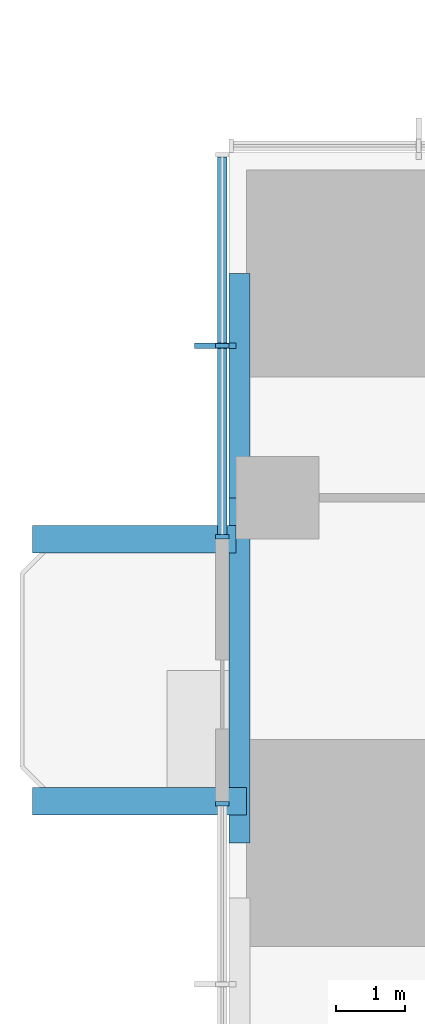
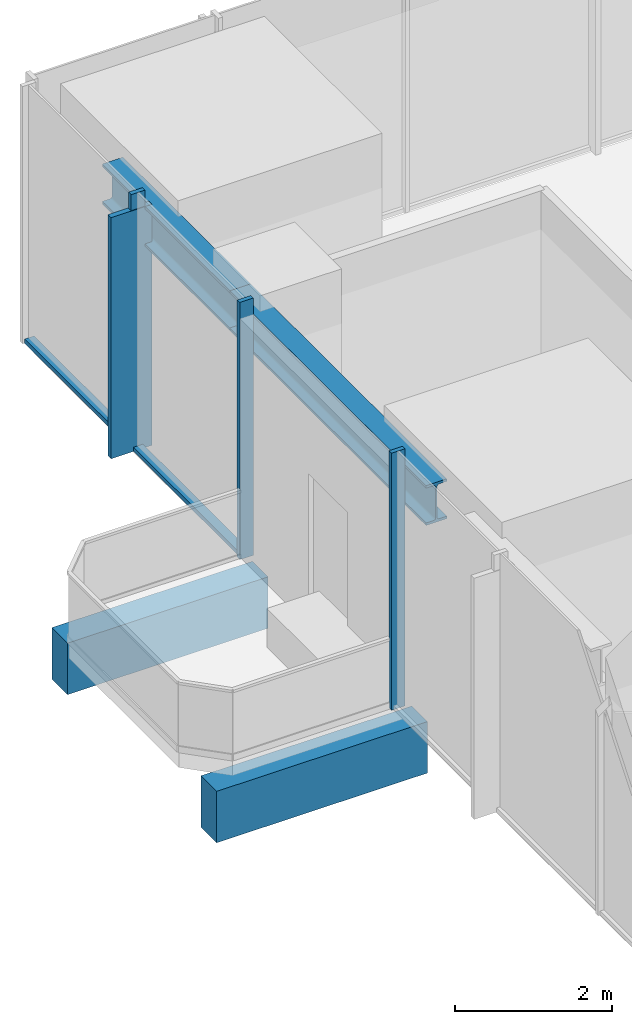
# One storey, part 3 of 14: 6 members, 4 beams, 2 elements without a shape of their own.
"""IFC4 building model written with IfcOpenShell, lengths in metres."""

import ifcopenshell
import ifcopenshell.guid

model = None  # the IFC model being written
_history = None  # IfcOwnerHistory: only IFC2X3 demands one
_inside = {}  # id of a spatial element -> (the spatial element, [elements in it])
_under = {}  # id of a project, library or spatial element -> (it, [spatial elements below it])
_declared = {}  # id of a project -> (the project, [libraries it declares])
_typed = {}  # id of a type object -> (the type object, [elements of that type])
_made_of = {}  # id of a material, layer set ... -> (it, [elements and type objects made of it])


def new_model(schema):
    """Start an empty IFC model of exactly this schema.

    Asked for "IFC4X3", IfcOpenShell would pick the latest addendum, in which some entities
    have other attributes; the version numbers below select the first issue.
    IFC2X3 requires an IfcOwnerHistory on every rooted entity: one is made here for all.
    """
    global model, _history
    if schema == "IFC4X3":
        model = ifcopenshell.file(schema_version=(4, 3, 0, 0))
    else:
        model = ifcopenshell.file(schema=schema)
    _inside.clear()
    _under.clear()
    _declared.clear()
    _typed.clear()
    _made_of.clear()
    _history = None
    if model.schema == "IFC2X3":
        org = make("IfcOrganization", Name="unknown")
        user = make(
            "IfcPersonAndOrganization",
            ThePerson=make("IfcPerson", FamilyName="unknown"),
            TheOrganization=org,
        )
        app = make(
            "IfcApplication",
            ApplicationDeveloper=org,
            Version="unknown",
            ApplicationFullName="unknown",
            ApplicationIdentifier="unknown",
        )
        _history = make(
            "IfcOwnerHistory",
            OwningUser=user,
            OwningApplication=app,
            ChangeAction="ADDED",
            CreationDate=0,
        )
    return model


def make(cls, **values):
    """One entity of the class cls with the attributes given. An attribute that is None is left unset."""
    return model.create_entity(
        cls, **{name: value for name, value in values.items() if value is not None}
    )


def rooted(cls, **values):
    """An entity with a GlobalId (a new one), such as an element, a storey or a relation."""
    return make(cls, GlobalId=ifcopenshell.guid.new(), OwnerHistory=_history, **values)


def si_unit(unit_type, name, prefix=None):
    """IfcSIUnit, for example si_unit("LENGTHUNIT", "METRE", prefix="MILLI")."""
    return make("IfcSIUnit", UnitType=unit_type, Prefix=prefix, Name=name)


def assignment(units):
    """IfcUnitAssignment: the units of a project."""
    return None if units is None else make("IfcUnitAssignment", Units=units)


def point(xyz):
    """IfcCartesianPoint."""
    return None if xyz is None else make("IfcCartesianPoint", Coordinates=xyz)


def direction(xyz):
    """IfcDirection."""
    return None if xyz is None else make("IfcDirection", DirectionRatios=xyz)


def frame(location, z_axis=None, x_axis=None):
    """IfcAxis2Placement3D, a coordinate frame: its origin and axes. An axis left out is left unset."""
    return make(
        "IfcAxis2Placement3D",
        Location=point(location),
        Axis=direction(z_axis),
        RefDirection=direction(x_axis),
    )


def frame_2d(location, x_axis=None):
    """IfcAxis2Placement2D, a coordinate frame in the plane: its origin and x axis."""
    return make(
        "IfcAxis2Placement2D", Location=point(location), RefDirection=direction(x_axis)
    )


def origin():
    """The frame at (0, 0, 0) with its axes left unset."""
    return frame((0.0, 0.0, 0.0))


def origin_2d():
    """The frame at (0, 0) in the plane with its x axis left unset."""
    return frame_2d((0.0, 0.0))


def place(relative_to, where):
    """IfcLocalPlacement: puts the frame where relative to a parent placement (None: the world)."""
    return make(
        "IfcLocalPlacement", PlacementRelTo=relative_to, RelativePlacement=where
    )


def context(
    kind, dimensions, precision=None, world=None, true_north=None, identifier=None
):
    """IfcGeometricRepresentationContext, for example the 3D "Model" context."""
    return make(
        "IfcGeometricRepresentationContext",
        ContextIdentifier=identifier,
        ContextType=kind,
        CoordinateSpaceDimension=dimensions,
        Precision=precision,
        WorldCoordinateSystem=world,
        TrueNorth=true_north,
    )


def subcontext(parent, identifier, kind, view, scale=None):
    """IfcGeometricRepresentationSubContext, for example "Body" below "Model"."""
    return make(
        "IfcGeometricRepresentationSubContext",
        ContextIdentifier=identifier,
        ContextType=kind,
        ParentContext=parent,
        TargetScale=scale,
        TargetView=view,
    )


def project(units=None, contexts=None):
    """IfcProject with its units and contexts."""
    return rooted(
        "IfcProject",
        Name="project",
        RepresentationContexts=contexts,
        UnitsInContext=assignment(units),
    )


def spatial(cls, under=None, at=None, **own):
    """A site, building, storey or space (cls), placed at a placement, below another one or the project."""
    s = rooted(cls, ObjectPlacement=at, **own)
    if under is not None:
        _under.setdefault(under.id(), (under, []))[1].append(s)
    return s


def profile(cls, at=None, kind="AREA", **sizes):
    """A parametric profile (cls). Its sizes go by their IFC names, for example OverallWidth=200.0."""
    return make(cls, ProfileType=kind, Position=at, **sizes)


def rectangle(**sizes):
    """IfcRectangleProfileDef."""
    return profile("IfcRectangleProfileDef", **sizes)


def i_section(**sizes):
    """IfcIShapeProfileDef."""
    return profile("IfcIShapeProfileDef", **sizes)


def extrude(swept, where, along, depth):
    """IfcExtrudedAreaSolid: the profile swept, set in the frame where, extruded along a direction by depth."""
    return make(
        "IfcExtrudedAreaSolid",
        SweptArea=swept,
        Position=where,
        ExtrudedDirection=direction(along),
        Depth=depth,
    )


def shape(context_of_items, identifier, shape_type, items):
    """IfcShapeRepresentation: the items that make up one representation, for example the "Body"."""
    return make(
        "IfcShapeRepresentation",
        ContextOfItems=context_of_items,
        RepresentationIdentifier=identifier,
        RepresentationType=shape_type,
        Items=items,
    )


def material(Name=None, Category=None):
    """IfcMaterial."""
    return make("IfcMaterial", Name=Name, Category=Category)


def material_profile(
    of_material, cross_section, Name=None, Category=None, Priority=None
):
    """IfcMaterialProfile: a cross section and its material."""
    return make(
        "IfcMaterialProfile",
        Name=Name,
        Material=of_material,
        Profile=cross_section,
        Priority=Priority,
        Category=Category,
    )


def profile_set(profiles, Name=None, composite=None):
    """IfcMaterialProfileSet."""
    return make(
        "IfcMaterialProfileSet",
        Name=Name,
        MaterialProfiles=profiles,
        CompositeProfile=composite,
    )


def made_of(thing, what):
    """Note that an element or type object is made of a material, layer set ...; save() writes the relation."""
    if what is not None:
        _made_of.setdefault(what.id(), (what, []))[1].append(thing)
    return thing


def type_object(cls, material=None, **own):
    """A type object (cls), such as IfcWallType, which elements share."""
    return made_of(rooted(cls, **own), material)


def element(
    cls,
    number,
    at=None,
    inside=None,
    cuts=None,
    type_object=None,
    material=None,
    context=None,
    identifier="Body",
    shape_type=None,
    held_by="IfcProductDefinitionShape",
    body=None,
    shapes=None,
    **own,
):
    """One element of the class cls, such as IfcWall. Its Tag is "e" and its number.

    at: its placement. inside: the storey or other place that contains it. cuts: it is an
    opening in that element (IfcRelVoidsElement). A single representation is given by context,
    identifier, shape_type and body (its items); several are given by shapes. held_by: the class
    of the entity that holds the representations. save() writes the other relations.
    """
    e = rooted(cls, Tag="e%d" % number, ObjectPlacement=at, **own)
    if body is not None:
        shapes = [shape(context, identifier, shape_type, body)]
    if shapes is not None:
        e.Representation = make(held_by, Representations=shapes)
    if inside is not None:
        _inside.setdefault(inside.id(), (inside, []))[1].append(e)
    if cuts is not None:
        rooted(
            "IfcRelVoidsElement", RelatingBuildingElement=cuts, RelatedOpeningElement=e
        )
    if type_object is not None:
        _typed.setdefault(type_object.id(), (type_object, []))[1].append(e)
    return made_of(e, material)


def aggregate(whole, parts):
    """IfcRelAggregates: a whole, such as a stair, and the parts it consists of."""
    return rooted("IfcRelAggregates", RelatingObject=whole, RelatedObjects=parts)


def save(model, path):
    """Write the relations noted so far, then the file.

    IfcRelAggregates (storeys below a building ...), IfcRelContainedInSpatialStructure (elements
    in a storey), IfcRelDefinesByType, IfcRelAssociatesMaterial and IfcRelDeclares: one each for
    every whole, place, type object, material and project.
    """
    for whole, parts in _under.values():
        aggregate(whole, parts)
    for where, things in _inside.values():
        rooted(
            "IfcRelContainedInSpatialStructure",
            RelatedElements=things,
            RelatingStructure=where,
        )
    for kind, things in _typed.values():
        rooted("IfcRelDefinesByType", RelatedObjects=things, RelatingType=kind)
    for what, things in _made_of.values():
        rooted("IfcRelAssociatesMaterial", RelatedObjects=things, RelatingMaterial=what)
    for by, libraries in _declared.values():
        rooted("IfcRelDeclares", RelatingContext=by, RelatedDefinitions=libraries)
    model.write(path)


model = new_model("IFC4")

# Units and contexts
model_context = context("Model", 3, precision=1e-05, world=origin(), true_north=direction((0.0, 1.0)))
body_context = subcontext(model_context, "Body", "Model", "MODEL_VIEW")
ifc_project = project(units=[si_unit("LENGTHUNIT", "METRE"), si_unit("AREAUNIT", "SQUARE_METRE"), si_unit("VOLUMEUNIT", "CUBIC_METRE"), si_unit("PLANEANGLEUNIT", "RADIAN"), si_unit("MASSUNIT", "GRAM", prefix="KILO")], contexts=[model_context])

# Site, building, storey
site_placement = place(None, origin())
site = spatial("IfcSite", under=ifc_project, at=site_placement, CompositionType="ELEMENT")
building_placement = place(site_placement, origin())
building = spatial("IfcBuilding", under=site, at=building_placement, Name="Svetlomir Tower", CompositionType="ELEMENT")
storey_placement = place(building_placement, frame((0.0, 0.0, 108.5)))
storey = spatial("IfcBuildingStorey", under=building, at=storey_placement, Name="L25", CompositionType="ELEMENT", Elevation=108.5)

# Beams
ifc_material_1 = material(Name="Concrete C60/75", Category="concrete")
ifc_material_profile_1 = material_profile(ifc_material_1, rectangle(XDim=0.39990234375, YDim=0.800048828125, at=origin_2d()), Name="RC 400x800")
ifc_profile_set_1 = profile_set([ifc_material_profile_1], Name="Concrete C60/75")
beam_type_1 = type_object("IfcBeamType", Name="BALCONY RIB RC 400x800", PredefinedType="BEAM", material=ifc_profile_set_1)
beam_1_placement = place(storey_placement, frame((0.25, 21.60009765625, -0.64990234375), z_axis=(-1.0, 0.0, 0.0), x_axis=(0.0, -1.0, 0.0)))
element("IfcBeam", 1, at=beam_1_placement, inside=storey, type_object=beam_type_1, Name="Balcony rib W 1 L25", PredefinedType="BEAM", context=body_context, shape_type="SweptSolid", body=[
    extrude(rectangle(XDim=0.39990234375, YDim=0.800048828125, at=origin_2d()), origin(), (0.0, 0.0, 1.0), 3.10009765625),
])
beam_2_placement = place(storey_placement, frame((0.10009765625, 25.39990234375, -0.64990234375), z_axis=(-1.0, 0.0, 0.0), x_axis=(0.0, -1.0, 0.0)))
element("IfcBeam", 2, at=beam_2_placement, inside=storey, type_object=beam_type_1, Name="Balcony rib W 2 L25", PredefinedType="BEAM", context=body_context, shape_type="SweptSolid", body=[
    extrude(rectangle(XDim=0.39990234375, YDim=0.800048828125, at=origin_2d()), origin(), (0.0, 0.0, 1.0), 2.9501953125),
])

# Curtain wall, members
ifc_material_2 = material(Name="Bronze anodised aluminium curtain wall", Category="aluminium")
curtain_wall_type = type_object("IfcCurtainWallType", Name="CURTAIN WALL CW1 TOWER OFFICE", PredefinedType="NOTDEFINED", material=ifc_material_2)
curtain_wall_1_placement = place(storey_placement, origin())
curtain_wall_1 = element("IfcCurtainWall", 3, at=curtain_wall_1_placement, inside=storey, type_object=curtain_wall_type, Name="Curtain wall CW1 L25", PredefinedType="NOTDEFINED")
ifc_material_3 = material(Name="Bronze anodised aluminium", Category="aluminium")
ifc_material_profile_2 = material_profile(ifc_material_3, rectangle(XDim=0.080078125, YDim=0.60009765625, at=origin_2d()), Name="FIN 80x600")
ifc_profile_set_2 = profile_set([ifc_material_profile_2], Name="Bronze anodised aluminium 6063-T6")
member_type_1 = type_object("IfcMemberType", Name="BRONZE FIN 80x600", PredefinedType="USERDEFINED", material=ifc_profile_set_2)
member_1_placement = place(storey_placement, frame((-0.199951171875, 28.199951171875, 0.0), z_axis=(0.0, 0.0, 1.0), x_axis=(0.0, 1.0, 0.0)))
member_1 = element("IfcMember", 4, at=member_1_placement, type_object=member_type_1, Name="Bronze fin L25", ObjectType="FIN", PredefinedType="USERDEFINED", context=body_context, shape_type="SweptSolid", body=[
    extrude(rectangle(XDim=0.080078125, YDim=0.60009765625, at=origin_2d()), origin(), (0.0, 0.0, 1.0), 3.75),
])
ifc_material_4 = material(Name="Bronze anodised aluminium", Category="aluminium")
ifc_material_profile_3 = material_profile(ifc_material_4, rectangle(XDim=0.06494140625, YDim=0.199951171875, at=origin_2d()), Name="AL 65x200")
ifc_profile_set_3 = profile_set([ifc_material_profile_3], Name="Bronze anodised aluminium 6063-T6")
member_type_2 = type_object("IfcMemberType", Name="CW1 MULLION 65x200", PredefinedType="MULLION", material=ifc_profile_set_3)
member_2_placement = place(storey_placement, frame((-0.10009765625, 28.199951171875, 0.0), z_axis=(0.0, 0.0, 1.0), x_axis=(0.0, -1.0, 0.0)))
member_2 = element("IfcMember", 5, at=member_2_placement, type_object=member_type_2, Name="CW1 mullion 2", PredefinedType="MULLION", context=body_context, shape_type="SweptSolid", body=[
    extrude(rectangle(XDim=0.06494140625, YDim=0.199951171875, at=origin_2d()), origin(), (0.0, 0.0, 1.0), 4.0),
])
member_3_placement = place(storey_placement, frame((-0.10009765625, 25.4326171875, 0.0), z_axis=(0.0, 0.0, 1.0), x_axis=(0.0, -1.0, 0.0)))
member_3 = element("IfcMember", 6, at=member_3_placement, type_object=member_type_2, Name="CW1 mullion 3", PredefinedType="MULLION", context=body_context, shape_type="SweptSolid", body=[
    extrude(rectangle(XDim=0.06494140625, YDim=0.199951171875, at=origin_2d()), origin(), (0.0, 0.0, 1.0), 4.0),
])

# Curtain wall, member
curtain_wall_2_placement = place(storey_placement, origin())
curtain_wall_2 = element("IfcCurtainWall", 7, at=curtain_wall_2_placement, inside=storey, type_object=curtain_wall_type, Name="Curtain wall CW1 L25", PredefinedType="NOTDEFINED")
member_4_placement = place(storey_placement, frame((-0.10009765625, 21.5673828125, 0.0), z_axis=(0.0, 0.0, 1.0), x_axis=(0.0, -1.0, 0.0)))
member_4 = element("IfcMember", 8, at=member_4_placement, type_object=member_type_2, Name="CW1 mullion 1", PredefinedType="MULLION", context=body_context, shape_type="SweptSolid", body=[
    extrude(rectangle(XDim=0.06494140625, YDim=0.199951171875, at=origin_2d()), origin(), (0.0, 0.0, 1.0), 4.0),
])
aggregate(curtain_wall_2, [member_4])

# Member
ifc_material_5 = material(Name="Bronze anodised aluminium", Category="aluminium")
ifc_material_profile_4 = material_profile(ifc_material_5, rectangle(XDim=0.139892578125, YDim=0.06494140625, at=origin_2d()), Name="AL 140x65")
ifc_profile_set_4 = profile_set([ifc_material_profile_4], Name="Bronze anodised aluminium 6063-T6")
member_type_3 = type_object("IfcMemberType", Name="CW1 TRANSOM 65x140", PredefinedType="USERDEFINED", material=ifc_profile_set_4)
member_5_placement = place(storey_placement, frame((-0.10009765625, 30.93505859375, 0.032470703125), z_axis=(0.0, -1.0, 0.0), x_axis=(1.0, 0.0, 0.0)))
member_5 = element("IfcMember", 9, at=member_5_placement, type_object=member_type_3, Name="CW1 transom 1.1", ObjectType="TRANSOM", PredefinedType="USERDEFINED", context=body_context, shape_type="SweptSolid", body=[
    extrude(rectangle(XDim=0.139892578125, YDim=0.06494140625, at=origin_2d()), origin(), (0.0, 0.0, 1.0), 2.70263671875),
])

member_6_placement = place(storey_placement, frame((-0.10009765625, 28.16748046875, 0.032470703125), z_axis=(0.0, -1.0, 0.0), x_axis=(1.0, 0.0, 0.0)))
member_6 = element("IfcMember", 10, at=member_6_placement, type_object=member_type_3, Name="CW1 transom 2.1", ObjectType="TRANSOM", PredefinedType="USERDEFINED", context=body_context, shape_type="SweptSolid", body=[
    extrude(rectangle(XDim=0.139892578125, YDim=0.06494140625, at=origin_2d()), origin(), (0.0, 0.0, 1.0), 2.702392578125),
])

aggregate(curtain_wall_1, [member_2, member_3, member_5, member_6, member_1])

# Beams
ifc_material_6 = material(Name="Steel S355", Category="steel")
ifc_material_profile_5 = material_profile(ifc_material_6, i_section(OverallWidth=0.304931640625, OverallDepth=0.6201171875, WebThickness=0.02099609375, FlangeThickness=0.0400390625, FilletRadius=0.027099609375, at=origin_2d()), Name="HEM 600")
ifc_profile_set_5 = profile_set([ifc_material_profile_5], Name="Steel S355")
beam_type_2 = type_object("IfcBeamType", Name="EDGE BEAM HEM 600", PredefinedType="SPANDREL", material=ifc_profile_set_5)
beam_3_placement = place(storey_placement, frame((0.152587890625, 21.0, 3.43994140625), z_axis=(0.0, 1.0, 0.0), x_axis=(-1.0, 0.0, 0.0)))
element("IfcBeam", 11, at=beam_3_placement, inside=storey, type_object=beam_type_2, Name="Edge beam 0/21 to 0/26 under L26", PredefinedType="SPANDREL", context=body_context, shape_type="SweptSolid", body=[
    extrude(i_section(OverallWidth=0.304931640625, OverallDepth=0.6201171875, WebThickness=0.02099609375, FlangeThickness=0.0400390625, FilletRadius=0.027099609375, at=origin_2d()), origin(), (0.0, 0.0, 1.0), 5.0),
])
beam_4_placement = place(storey_placement, frame((0.152587890625, 26.0, 3.43994140625), z_axis=(0.0, 1.0, 0.0), x_axis=(-1.0, 0.0, 0.0)))
element("IfcBeam", 12, at=beam_4_placement, inside=storey, type_object=beam_type_2, Name="Edge beam 0/26 to 0/31 under L26", PredefinedType="SPANDREL", context=body_context, shape_type="SweptSolid", body=[
    extrude(i_section(OverallWidth=0.304931640625, OverallDepth=0.6201171875, WebThickness=0.02099609375, FlangeThickness=0.0400390625, FilletRadius=0.027099609375, at=origin_2d()), origin(), (0.0, 0.0, 1.0), 3.25),
])

save(model, "model.ifc")
